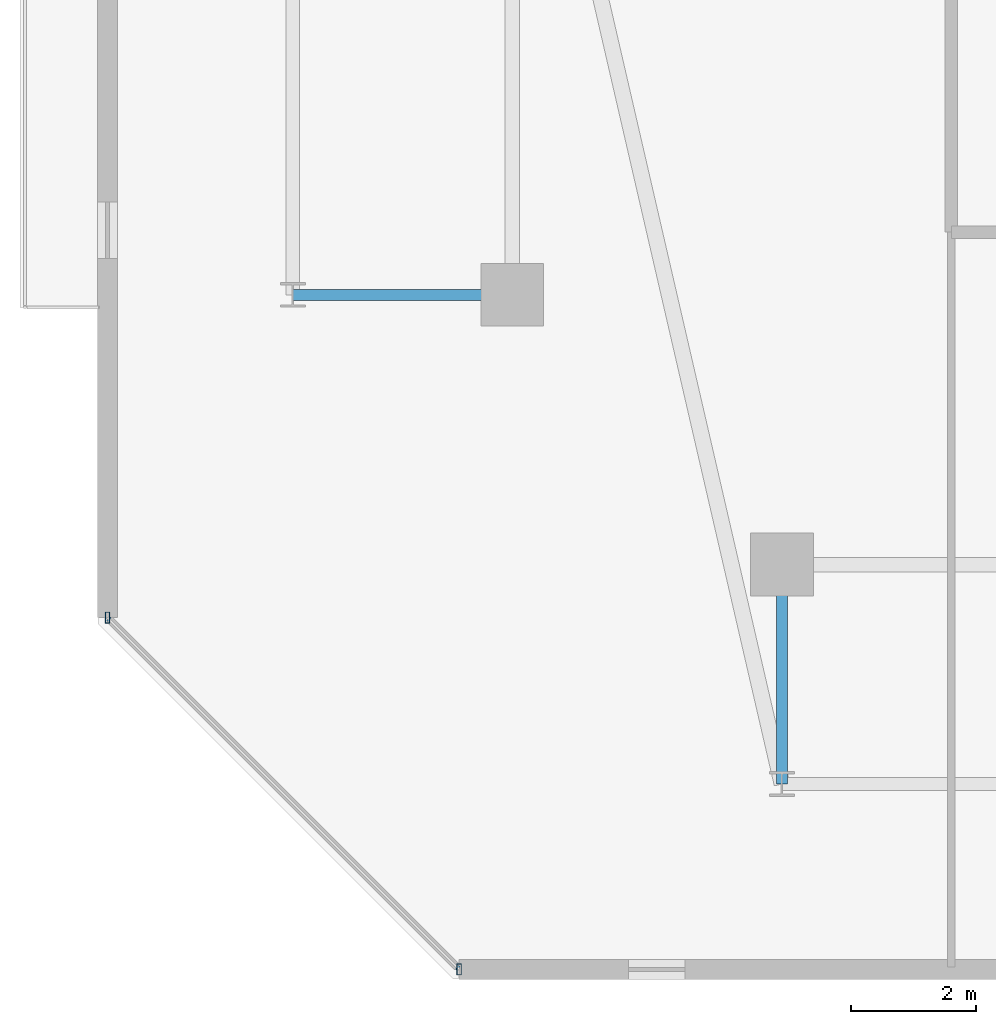
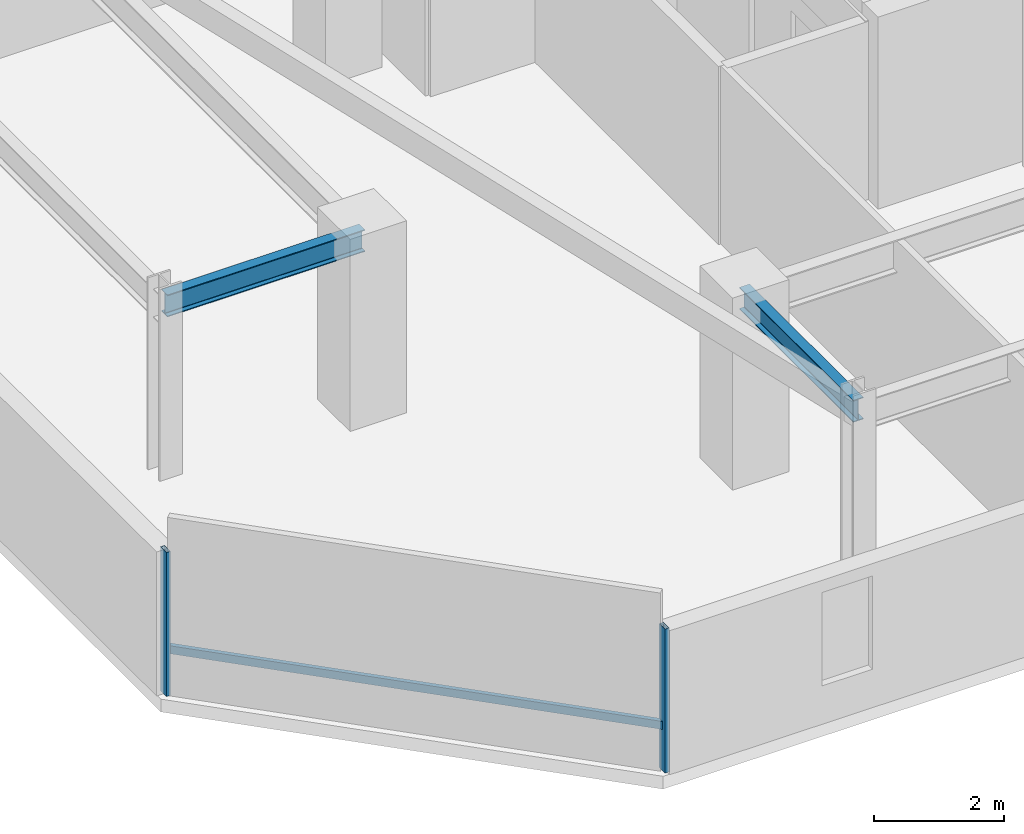
# One storey, part 3 of 31: 3 members, 2 beams, 1 element without a shape of its own.
"""IFC4 building model written with IfcOpenShell, lengths in metres."""

from ifc_helpers import new_model, si_unit, direction, frame, origin, origin_2d, place, context, subcontext, project, spatial, hollow_rectangle, i_section, extrude, material, material_profile, profile_set, type_object, element, aggregate, save


model = new_model("IFC4")

# Units and contexts
model_context = context("Model", 3, precision=1e-05, world=origin(), true_north=direction((0.0, 1.0)))
body_context = subcontext(model_context, "Body", "Model", "MODEL_VIEW")
ifc_project = project(units=[si_unit("LENGTHUNIT", "METRE"), si_unit("AREAUNIT", "SQUARE_METRE"), si_unit("VOLUMEUNIT", "CUBIC_METRE"), si_unit("PLANEANGLEUNIT", "RADIAN"), si_unit("MASSUNIT", "GRAM", prefix="KILO")], contexts=[model_context])

# Site, building, storey
site_placement = place(None, origin())
site = spatial("IfcSite", under=ifc_project, at=site_placement, CompositionType="ELEMENT")
building_placement = place(site_placement, origin())
building = spatial("IfcBuilding", under=site, at=building_placement, Name="Thornwick Lancets Civic Towers", CompositionType="ELEMENT")
storey_placement = place(building_placement, frame((0.0, 0.0, 236.699951171875)))
storey = spatial("IfcBuildingStorey", under=building, at=storey_placement, Name="L63", CompositionType="ELEMENT", Elevation=236.699951171875)

# Beams
ifc_material_1 = material(Name="Steel S355JR", Category="steel")
ifc_material_profile_1 = material_profile(ifc_material_1, i_section(OverallWidth=0.179443359375, OverallDepth=0.412841796875, WebThickness=0.009521484375, FlangeThickness=0.01611328125, FilletRadius=0.01025390625, at=origin_2d()), Name="UKB 406x178x74")
ifc_profile_set_1 = profile_set([ifc_material_profile_1], Name="Steel S355JR")
beam_type = type_object("IfcBeamType", Name="BM_JOIST_406_74", PredefinedType="JOIST", material=ifc_profile_set_1)
for number, where, z_axis, x_axis, name in (
    (1, (12.5, 9.699951171875, 3.153564453125), (0.0, -1.0, 0.0), (1.0, 0.0, 0.0), "BM-RAD-L63-A01"),
    (2, (8.199951171875, 14.0, 3.153564453125), (-1.0, 0.0, 0.0), (0.0, -1.0, 0.0), "BM-RAD-L63-A10"),
):
    element("IfcBeam", number, at=place(storey_placement, frame(where, z_axis=z_axis, x_axis=x_axis)), inside=storey, type_object=beam_type, Name=name, PredefinedType="JOIST", context=body_context, shape_type="SweptSolid", body=[
        extrude(i_section(OverallWidth=0.179443359375, OverallDepth=0.412841796875, WebThickness=0.009521484375, FlangeThickness=0.01611328125, FilletRadius=0.01025390625, at=origin_2d()), origin(), (0.0, 0.0, 1.0), 3.5),
    ])

# Curtain wall, members
ifc_material_2 = material(Name="High-zone chamfered-corner unitised glass curtain wall", Category="glass")
curtain_wall_type = type_object("IfcCurtainWallType", Name="CW_SYS_05", PredefinedType="NOTDEFINED", material=ifc_material_2)
curtain_wall_placement = place(storey_placement, origin())
curtain_wall = element("IfcCurtainWall", 3, at=curtain_wall_placement, inside=storey, type_object=curtain_wall_type, Name="L63 Curtain Wall CW-L63-A-E7", PredefinedType="NOTDEFINED")
ifc_material_3 = material(Name="Thermally broken bronze aluminium S355", Category="steel")
ifc_material_profile_2 = material_profile(ifc_material_3, hollow_rectangle(XDim=0.074951171875, YDim=0.179931640625, WallThickness=0.006103515625, at=origin_2d()), Name="RHS 180x75x6")
ifc_profile_set_2 = profile_set([ifc_material_profile_2], Name="Thermally broken bronze aluminium S355")
member_type_1 = type_object("IfcMemberType", Name="CW_MUL_180", PredefinedType="MULLION", material=ifc_profile_set_2)
member_1_placement = place(storey_placement, frame((1.745361328125, 8.85205078125, 0.0), z_axis=(0.0, 0.0, 1.0), x_axis=(1.0, 0.0, 0.0)))
member_1 = element("IfcMember", 4, at=member_1_placement, type_object=member_type_1, Name="CW-L63-A-E7 Mullion 0", PredefinedType="MULLION", context=body_context, shape_type="SweptSolid", body=[
    extrude(hollow_rectangle(XDim=0.074951171875, YDim=0.179931640625, WallThickness=0.006103515625, at=origin_2d()), origin(), (0.0, 0.0, 1.0), 2.699951171875),
])
member_2_placement = place(storey_placement, frame((7.35205078125, 3.245361328125, 0.0), z_axis=(0.0, 0.0, 1.0), x_axis=(1.0, 0.0, 0.0)))
member_2 = element("IfcMember", 5, at=member_2_placement, type_object=member_type_1, Name="CW-L63-A-E7 Mullion 1", PredefinedType="MULLION", context=body_context, shape_type="SweptSolid", body=[
    extrude(hollow_rectangle(XDim=0.074951171875, YDim=0.179931640625, WallThickness=0.006103515625, at=origin_2d()), origin(), (0.0, 0.0, 1.0), 2.699951171875),
])
ifc_material_profile_3 = material_profile(ifc_material_3, hollow_rectangle(XDim=0.074951171875, YDim=0.14990234375, WallThickness=0.0048828125, at=origin_2d()), Name="RHS 150x75x5")
ifc_profile_set_3 = profile_set([ifc_material_profile_3], Name="Thermally broken bronze aluminium S355")
member_type_2 = type_object("IfcMemberType", Name="CW_TRN_150", PredefinedType="USERDEFINED", material=ifc_profile_set_3)
member_3_placement = place(storey_placement, frame((1.759521484375, 8.837890625, 0.85009765625), z_axis=(0.707106781187, -0.707106781187, 0.0), x_axis=(0.707106781187, 0.707106781187, 0.0)))
member_3 = element("IfcMember", 6, at=member_3_placement, type_object=member_type_2, Name="CW-L63-A-E7 Transom 0", ObjectType="TRANSOM", PredefinedType="USERDEFINED", context=body_context, shape_type="SweptSolid", body=[
    extrude(hollow_rectangle(XDim=0.074951171875, YDim=0.14990234375, WallThickness=0.0048828125, at=origin_2d()), origin(), (0.0, 0.0, 1.0), 7.888916015625),
])
aggregate(curtain_wall, [member_1, member_2, member_3])

save(model, "model.ifc")
